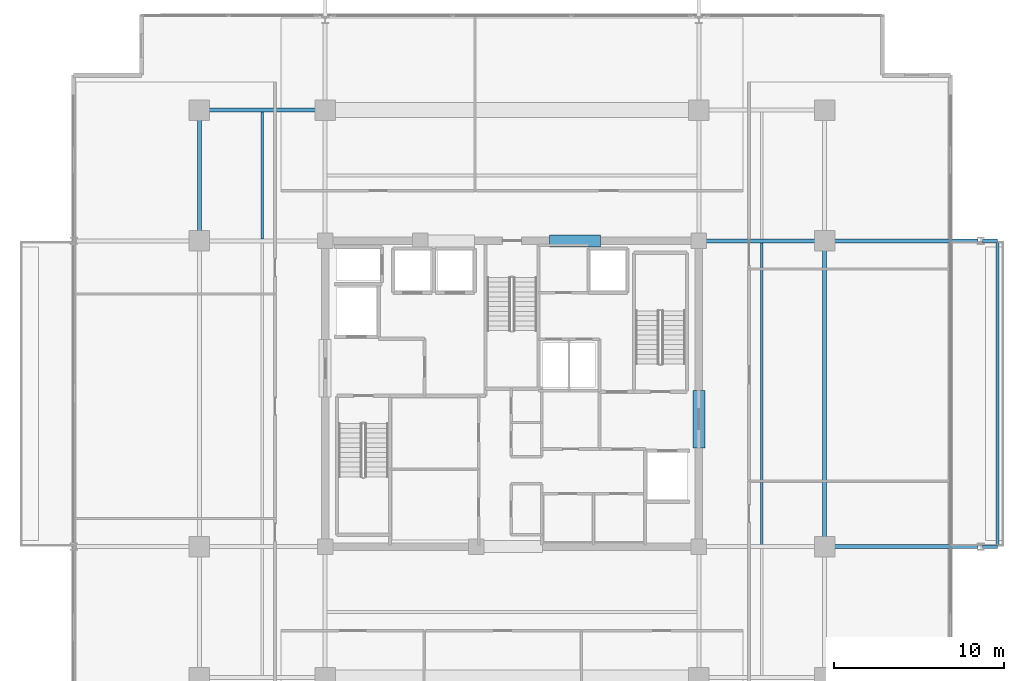
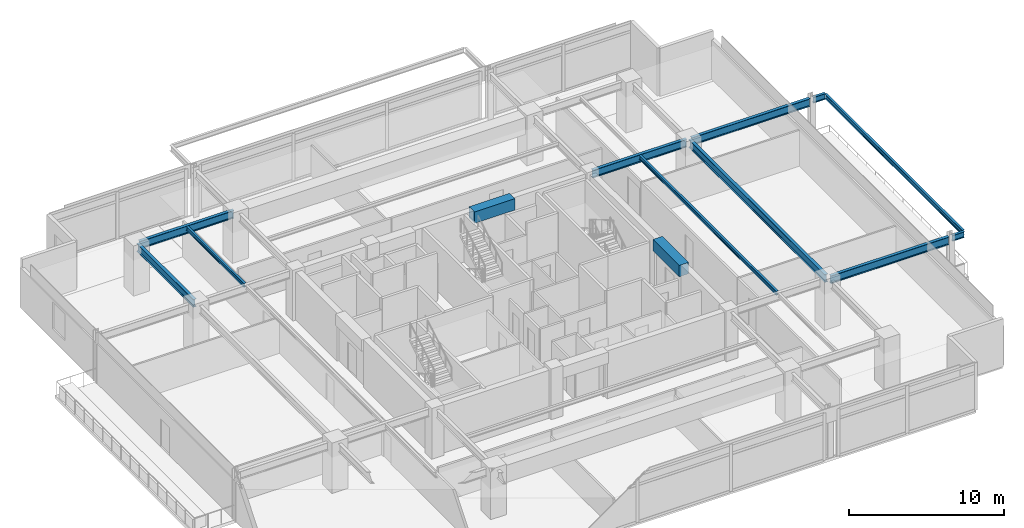
# One storey, part 6 of 20: 13 beams.
"""IFC4 building model written with IfcOpenShell, lengths in metres."""

from ifc_helpers import new_model, si_unit, direction, frame, origin, origin_2d, place, context, subcontext, project, spatial, rectangle, i_section, extrude, material, material_profile, profile_set, type_object, element, save


model = new_model("IFC4")

# Units and contexts
model_context = context("Model", 3, precision=1e-05, world=origin(), true_north=direction((0.0, 1.0)))
body_context = subcontext(model_context, "Body", "Model", "MODEL_VIEW")
ifc_project = project(units=[si_unit("LENGTHUNIT", "METRE"), si_unit("AREAUNIT", "SQUARE_METRE"), si_unit("VOLUMEUNIT", "CUBIC_METRE"), si_unit("PLANEANGLEUNIT", "RADIAN"), si_unit("MASSUNIT", "GRAM", prefix="KILO")], contexts=[model_context])

# Site, building, storey
site_placement = place(None, origin())
site = spatial("IfcSite", under=ifc_project, at=site_placement, CompositionType="ELEMENT")
building_placement = place(site_placement, origin())
building = spatial("IfcBuilding", under=site, at=building_placement, Name="Kovane Verandah Tower", CompositionType="ELEMENT")
storey_placement = place(building_placement, frame((0.0, 0.0, 279.199951171875)))
storey = spatial("IfcBuildingStorey", under=building, at=storey_placement, Name="L65", CompositionType="ELEMENT", Elevation=279.199951171875)

# Beams
ifc_material_1 = material(Name="Concrete C60/75", Category="concrete")
ifc_material_profile_1 = material_profile(ifc_material_1, rectangle(XDim=0.699951171875, YDim=0.89990234375, at=origin_2d()), Name="RCB700x900")
ifc_profile_set_1 = profile_set([ifc_material_profile_1], Name="Concrete C60/75")
beam_type_1 = type_object("IfcBeamType", Name="BM-LINTEL-700x900", PredefinedType="LINTEL", material=ifc_profile_set_1)
beam_1_placement = place(storey_placement, frame((42.199951171875, 36.5, 3.3349609375), z_axis=(1.0, 0.0, 0.0), x_axis=(0.0, 1.0, 0.0)))
element("IfcBeam", 1, at=beam_1_placement, inside=storey, type_object=beam_type_1, Name="L65 Core Coupling Lintel CL-N2", PredefinedType="LINTEL", context=body_context, shape_type="SweptSolid", body=[
    extrude(rectangle(XDim=0.699951171875, YDim=0.89990234375, at=origin_2d()), origin(), (0.0, 0.0, 1.0), 3.0),
])
beam_2_placement = place(storey_placement, frame((51.0, 24.300048828125, 3.3349609375), z_axis=(0.0, 1.0, 0.0), x_axis=(-1.0, 0.0, 0.0)))
element("IfcBeam", 2, at=beam_2_placement, inside=storey, type_object=beam_type_1, Name="L65 Core Coupling Lintel CL-E", PredefinedType="LINTEL", context=body_context, shape_type="SweptSolid", body=[
    extrude(rectangle(XDim=0.699951171875, YDim=0.89990234375, at=origin_2d()), origin(), (0.0, 0.0, 1.0), 3.39990234375),
])
ifc_material_2 = material(Name="Steel S355", Category="steel")
ifc_material_profile_2 = material_profile(ifc_material_2, i_section(OverallWidth=0.230224609375, OverallDepth=0.6171875, WebThickness=0.01318359375, FlangeThickness=0.022216796875, FilletRadius=0.0126953125, at=origin_2d()), Name="UB610x229x140")
ifc_profile_set_2 = profile_set([ifc_material_profile_2], Name="Steel S355")
beam_type_2 = type_object("IfcBeamType", Name="BM-UB610x140", PredefinedType="BEAM", material=ifc_profile_set_2)
beam_3_placement = place(storey_placement, frame((21.780029296875, 44.199951171875, 3.4765625), z_axis=(1.0, 0.0, 0.0), x_axis=(0.0, 1.0, 0.0)))
element("IfcBeam", 3, at=beam_3_placement, inside=storey, type_object=beam_type_2, Name="L65 Primary Tower Girder G-RN1", PredefinedType="BEAM", context=body_context, shape_type="SweptSolid", body=[
    extrude(i_section(OverallWidth=0.230224609375, OverallDepth=0.6171875, WebThickness=0.01318359375, FlangeThickness=0.022216796875, FilletRadius=0.0126953125, at=origin_2d()), origin(), (0.0, 0.0, 1.0), 7.0400390625),
])
beam_4_placement = place(storey_placement, frame((21.60009765625, 36.679931640625, 3.4765625), z_axis=(0.0, 1.0, 0.0), x_axis=(-1.0, 0.0, 0.0)))
element("IfcBeam", 4, at=beam_4_placement, inside=storey, type_object=beam_type_2, Name="L65 Primary Tower Girder G-RW3", PredefinedType="BEAM", context=body_context, shape_type="SweptSolid", body=[
    extrude(i_section(OverallWidth=0.230224609375, OverallDepth=0.6171875, WebThickness=0.01318359375, FlangeThickness=0.022216796875, FilletRadius=0.0126953125, at=origin_2d()), origin(), (0.0, 0.0, 1.0), 7.340087890625),
])
beam_5_placement = place(storey_placement, frame((58.39990234375, 18.679931640625, 3.4765625), z_axis=(0.0, 1.0, 0.0), x_axis=(-1.0, 0.0, 0.0)))
element("IfcBeam", 5, at=beam_5_placement, inside=storey, type_object=beam_type_2, Name="L65 Primary Tower Girder G-RE2", PredefinedType="BEAM", context=body_context, shape_type="SweptSolid", body=[
    extrude(i_section(OverallWidth=0.230224609375, OverallDepth=0.6171875, WebThickness=0.01318359375, FlangeThickness=0.022216796875, FilletRadius=0.0126953125, at=origin_2d()), origin(), (0.0, 0.0, 1.0), 17.64013671875),
])
beam_6_placement = place(storey_placement, frame((51.179931640625, 36.5, 3.4765625), z_axis=(1.0, 0.0, 0.0), x_axis=(0.0, 1.0, 0.0)))
element("IfcBeam", 6, at=beam_6_placement, inside=storey, type_object=beam_type_2, Name="L65 Primary Tower Girder G-E2", PredefinedType="BEAM", context=body_context, shape_type="SweptSolid", body=[
    extrude(i_section(OverallWidth=0.230224609375, OverallDepth=0.6171875, WebThickness=0.01318359375, FlangeThickness=0.022216796875, FilletRadius=0.0126953125, at=origin_2d()), origin(), (0.0, 0.0, 1.0), 7.0400390625),
])
for number, where, z_axis, x_axis, name in (
    (7, (58.580078125, 18.5, 3.451416015625), (1.0, 0.0, 0.0), (0.0, 1.0, 0.0), "L65 Primary Tower Girder G-VE1"),
    (8, (58.580078125, 36.5, 3.451416015625), (1.0, 0.0, 0.0), (0.0, 1.0, 0.0), "L65 Primary Tower Girder G-VE2"),
):
    element("IfcBeam", number, at=place(storey_placement, frame(where, z_axis=z_axis, x_axis=x_axis)), inside=storey, type_object=beam_type_2, Name=name, PredefinedType="BEAM", context=body_context, shape_type="SweptSolid", body=[
        extrude(i_section(OverallWidth=0.230224609375, OverallDepth=0.6171875, WebThickness=0.01318359375, FlangeThickness=0.022216796875, FilletRadius=0.0126953125, at=origin_2d()), origin(), (0.0, 0.0, 1.0), 8.83984375),
    ])
ifc_material_profile_3 = material_profile(ifc_material_2, i_section(OverallWidth=0.1669921875, OverallDepth=0.310302734375, WebThickness=0.0078125, FlangeThickness=0.013671875, FilletRadius=0.0087890625, at=origin_2d()), Name="UB305x165x54")
ifc_profile_set_3 = profile_set([ifc_material_profile_3], Name="Steel S355")
beam_type_3 = type_object("IfcBeamType", Name="JST-UB305x54", PredefinedType="JOIST", material=ifc_profile_set_3)
beam_7_placement = place(storey_placement, frame((54.699951171875, 18.613037109375, 3.6298828125), z_axis=(0.0, 1.0, 0.0), x_axis=(-1.0, 0.0, 0.0)))
element("IfcBeam", 9, at=beam_7_placement, inside=storey, type_object=beam_type_3, Name="L65 Secondary Composite Joist J-E1", PredefinedType="JOIST", context=body_context, shape_type="SweptSolid", body=[
    extrude(i_section(OverallWidth=0.1669921875, OverallDepth=0.310302734375, WebThickness=0.0078125, FlangeThickness=0.013671875, FilletRadius=0.0087890625, at=origin_2d()), origin(), (0.0, 0.0, 1.0), 17.77392578125),
])
beam_8_placement = place(storey_placement, frame((25.300048828125, 36.613037109375, 3.6298828125), z_axis=(0.0, 1.0, 0.0), x_axis=(-1.0, 0.0, 0.0)))
element("IfcBeam", 10, at=beam_8_placement, inside=storey, type_object=beam_type_3, Name="L65 Secondary Composite Joist J-NW1", PredefinedType="JOIST", context=body_context, shape_type="SweptSolid", body=[
    extrude(i_section(OverallWidth=0.1669921875, OverallDepth=0.310302734375, WebThickness=0.0078125, FlangeThickness=0.013671875, FilletRadius=0.0087890625, at=origin_2d()), origin(), (0.0, 0.0, 1.0), 7.473876953125),
])
ifc_material_profile_4 = material_profile(ifc_material_2, i_section(OverallWidth=0.19287109375, OverallDepth=0.46728515625, WebThickness=0.011474609375, FlangeThickness=0.01953125, FilletRadius=0.01025390625, at=origin_2d()), Name="UB457x191x98")
ifc_profile_set_4 = profile_set([ifc_material_profile_4], Name="Steel S355")
beam_type_4 = type_object("IfcBeamType", Name="JST-UB457x98", PredefinedType="JOIST", material=ifc_profile_set_4)
for number, where, z_axis, x_axis, name in (
    (11, (67.679931640625, 18.5, 3.5263671875), (1.0, 0.0, 0.0), (0.0, 1.0, 0.0), "L65 East Planter Girder 1"),
    (12, (67.679931640625, 36.5, 3.5263671875), (1.0, 0.0, 0.0), (0.0, 1.0, 0.0), "L65 East Planter Girder 2"),
):
    element("IfcBeam", number, at=place(storey_placement, frame(where, z_axis=z_axis, x_axis=x_axis)), inside=storey, type_object=beam_type_4, Name=name, PredefinedType="JOIST", context=body_context, shape_type="SweptSolid", body=[
        extrude(i_section(OverallWidth=0.19287109375, OverallDepth=0.46728515625, WebThickness=0.011474609375, FlangeThickness=0.01953125, FilletRadius=0.01025390625, at=origin_2d()), origin(), (0.0, 0.0, 1.0), 0.9013671875),
    ])
ifc_material_profile_5 = material_profile(ifc_material_2, i_section(OverallWidth=0.173095703125, OverallDepth=0.36328125, WebThickness=0.009033203125, FlangeThickness=0.015625, FilletRadius=0.01025390625, at=origin_2d()), Name="UB356x171x67")
ifc_profile_set_5 = profile_set([ifc_material_profile_5], Name="Steel S355")
beam_type_5 = type_object("IfcBeamType", Name="SPD-UB356x67", PredefinedType="USERDEFINED", material=ifc_profile_set_5)
beam_9_placement = place(storey_placement, frame((68.581298828125, 18.594482421875, 3.578369140625), z_axis=(0.0, 1.0, 0.0), x_axis=(-1.0, 0.0, 0.0)))
element("IfcBeam", 13, at=beam_9_placement, inside=storey, type_object=beam_type_5, Name="L65 East Planter Edge Spandrel", ObjectType="SPANDREL", PredefinedType="USERDEFINED", context=body_context, shape_type="SweptSolid", body=[
    extrude(i_section(OverallWidth=0.173095703125, OverallDepth=0.36328125, WebThickness=0.009033203125, FlangeThickness=0.015625, FilletRadius=0.01025390625, at=origin_2d()), origin(), (0.0, 0.0, 1.0), 17.81103515625),
])

save(model, "model.ifc")
